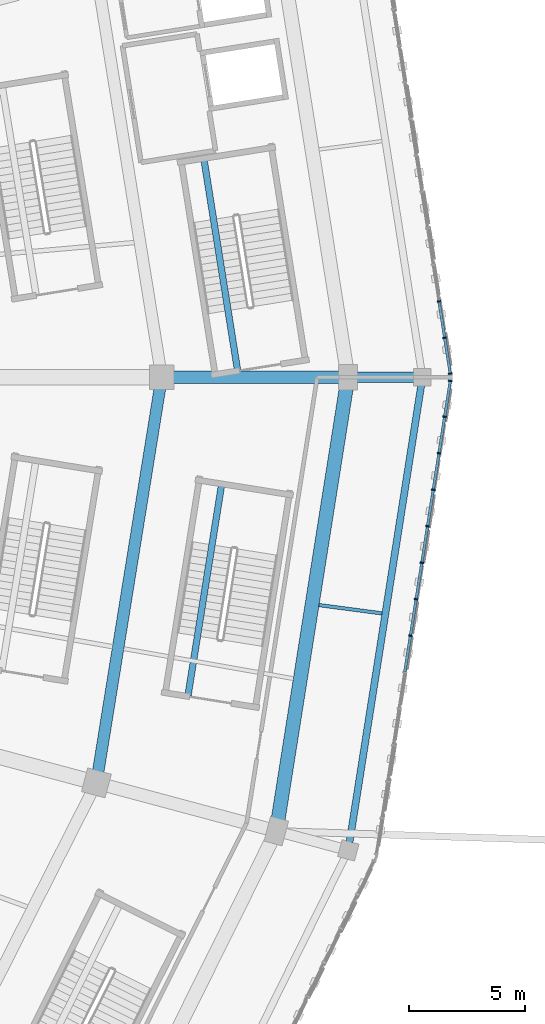
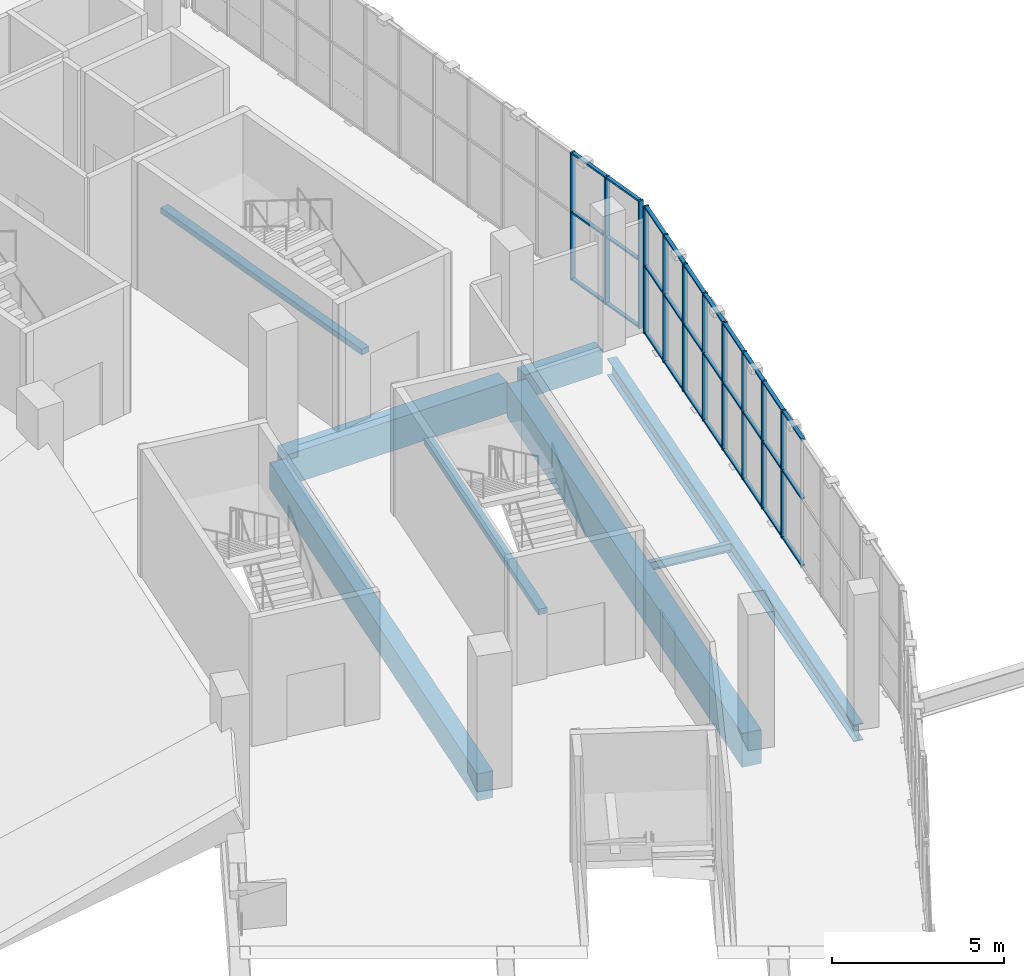
# One storey, part 40 of 183: 41 members, 8 beams, 2 elements without a shape of their own.
"""IFC4 building model written with IfcOpenShell, lengths in metres."""

from ifc_helpers import new_model, si_unit, direction, frame, origin, origin_2d, place, context, subcontext, project, spatial, rectangle, i_section, extrude, material, material_profile, profile_set, type_object, element, aggregate, save


model = new_model("IFC4")

# Units and contexts
model_context = context("Model", 3, precision=1e-05, world=origin(), true_north=direction((0.0, 1.0)))
body_context = subcontext(model_context, "Body", "Model", "MODEL_VIEW")
ifc_project = project(units=[si_unit("LENGTHUNIT", "METRE"), si_unit("AREAUNIT", "SQUARE_METRE"), si_unit("VOLUMEUNIT", "CUBIC_METRE"), si_unit("PLANEANGLEUNIT", "RADIAN"), si_unit("MASSUNIT", "GRAM", prefix="KILO")], contexts=[model_context])

# Site, building, storey
site_placement = place(None, origin())
site = spatial("IfcSite", under=ifc_project, at=site_placement, CompositionType="ELEMENT")
building_placement = place(site_placement, origin())
building = spatial("IfcBuilding", under=site, at=building_placement, Name="Zevraka Park Crest Stadium", CompositionType="ELEMENT")
storey_placement = place(building_placement, frame((0.0, 0.0, 5.39990234375)))
storey = spatial("IfcBuildingStorey", under=building, at=storey_placement, Name="L01", CompositionType="ELEMENT", Elevation=5.39990234375)

# Beams
ifc_material_1 = material(Name="Concrete C40/50", Category="concrete")
ifc_material_profile_1 = material_profile(ifc_material_1, rectangle(XDim=0.550048828125, YDim=1.10009765625, at=origin_2d()), Name="RC 1100x550")
ifc_profile_set_1 = profile_set([ifc_material_profile_1], Name="Concrete C40/50")
beam_type_1 = type_object("IfcBeamType", Name="BG02", PredefinedType="BEAM", material=ifc_profile_set_1)
beam_1_placement = place(storey_placement, frame((194.60009765625, 92.0, -0.559814453125), z_axis=(1.0, 0.0, 0.0), x_axis=(0.0, 1.0, 0.0)))
element("IfcBeam", 1, at=beam_1_placement, inside=storey, type_object=beam_type_1, Name="Radial Girder BG02 L01-CD-00", PredefinedType="BEAM", context=body_context, shape_type="SweptSolid", body=[
    extrude(rectangle(XDim=0.550048828125, YDim=1.10009765625, at=origin_2d()), origin(), (0.0, 0.0, 1.0), 7.39990234375),
])
ifc_material_2 = material(Name="Concrete C40/50", Category="concrete")
ifc_material_profile_2 = material_profile(ifc_material_2, rectangle(XDim=0.449951171875, YDim=0.85009765625, at=origin_2d()), Name="RC 850x450")
ifc_profile_set_2 = profile_set([ifc_material_profile_2], Name="Concrete C40/50")
beam_type_2 = type_object("IfcBeamType", Name="BG03", PredefinedType="BEAM", material=ifc_profile_set_2)
beam_2_placement = place(storey_placement, frame((202.60009765625, 92.0, -0.434814453125), z_axis=(1.0, 0.0, 0.0), x_axis=(0.0, 1.0, 0.0)))
element("IfcBeam", 2, at=beam_2_placement, inside=storey, type_object=beam_type_2, Name="Radial Girder BG03 L01-DE-00", PredefinedType="BEAM", context=body_context, shape_type="SweptSolid", body=[
    extrude(rectangle(XDim=0.449951171875, YDim=0.85009765625, at=origin_2d()), origin(), (0.0, 0.0, 1.0), 2.599853515625),
])

# Curtain wall, members
ifc_material_3 = material(Name="Anodised architectural aluminium and laminated safety glass", Category="aluminium")
curtain_wall_type = type_object("IfcCurtainWallType", Name="CW01", PredefinedType="NOTDEFINED", material=ifc_material_3)
curtain_wall_1_placement = place(storey_placement, origin())
curtain_wall_1 = element("IfcCurtainWall", 3, at=curtain_wall_1_placement, inside=storey, type_object=curtain_wall_type, Name="Unitised Ring Curtain Wall CW01 L01-00", PredefinedType="NOTDEFINED")
ifc_material_4 = material(Name="Anodised architectural aluminium", Category="aluminium")
ifc_material_profile_3 = material_profile(ifc_material_4, rectangle(XDim=0.159912109375, YDim=0.06005859375, at=origin_2d()), Name="ALU MULLION 160x60")
ifc_profile_set_3 = profile_set([ifc_material_profile_3], Name="Anodised architectural aluminium")
member_type_1 = type_object("IfcMemberType", Name="CM01", PredefinedType="MULLION", material=ifc_profile_set_3)
member_1_placement = place(storey_placement, frame((206.6943359375, 92.15576171875, 0.0), z_axis=(0.0, 0.0, 1.0), x_axis=(-0.987996544735, -0.154475977394, 0.0)))
member_1 = element("IfcMember", 4, at=member_1_placement, type_object=member_type_1, Name="CW01 mullion 1", PredefinedType="MULLION", context=body_context, shape_type="SweptSolid", body=[
    extrude(rectangle(XDim=0.159912109375, YDim=0.06005859375, at=origin_2d()), origin(), (0.0, 0.0, 1.0), 4.52001953125),
])
member_2_placement = place(storey_placement, frame((206.453857421875, 93.693359375, 0.0), z_axis=(0.0, 0.0, 1.0), x_axis=(-0.987996544735, -0.154475977394, 0.0)))
member_2 = element("IfcMember", 5, at=member_2_placement, type_object=member_type_1, Name="CW01 mullion 2", PredefinedType="MULLION", context=body_context, shape_type="SweptSolid", body=[
    extrude(rectangle(XDim=0.159912109375, YDim=0.06005859375, at=origin_2d()), origin(), (0.0, 0.0, 1.0), 4.52001953125),
])
member_3_placement = place(storey_placement, frame((206.208740234375, 95.260986328125, 0.0), z_axis=(0.0, 0.0, 1.0), x_axis=(-0.987996544735, -0.154475977394, 0.0)))
member_3 = element("IfcMember", 6, at=member_3_placement, type_object=member_type_1, Name="CW01 mullion 3", PredefinedType="MULLION", context=body_context, shape_type="SweptSolid", body=[
    extrude(rectangle(XDim=0.159912109375, YDim=0.06005859375, at=origin_2d()), origin(), (0.0, 0.0, 1.0), 4.52001953125),
])

curtain_wall_2_placement = place(storey_placement, origin())
curtain_wall_2 = element("IfcCurtainWall", 7, at=curtain_wall_2_placement, inside=storey, type_object=curtain_wall_type, Name="Unitised Ring Curtain Wall CW01 L01-23", PredefinedType="NOTDEFINED")
member_4_placement = place(storey_placement, frame((204.9833984375, 80.90185546875, 0.0), z_axis=(0.0, 0.0, 1.0), x_axis=(-0.987996544735, 0.154475977394, 0.0)))
member_4 = element("IfcMember", 8, at=member_4_placement, type_object=member_type_1, Name="CW01 mullion 7", PredefinedType="MULLION", context=body_context, shape_type="SweptSolid", body=[
    extrude(rectangle(XDim=0.159912109375, YDim=0.06005859375, at=origin_2d()), origin(), (0.0, 0.0, 1.0), 4.52001953125),
])
member_5_placement = place(storey_placement, frame((205.228515625, 82.46923828125, 0.0), z_axis=(0.0, 0.0, 1.0), x_axis=(-0.987996544735, 0.154475977394, 0.0)))
member_5 = element("IfcMember", 9, at=member_5_placement, type_object=member_type_1, Name="CW01 mullion 8", PredefinedType="MULLION", context=body_context, shape_type="SweptSolid", body=[
    extrude(rectangle(XDim=0.159912109375, YDim=0.06005859375, at=origin_2d()), origin(), (0.0, 0.0, 1.0), 4.52001953125),
])
member_6_placement = place(storey_placement, frame((205.4736328125, 84.03662109375, 0.0), z_axis=(0.0, 0.0, 1.0), x_axis=(-0.987996544735, 0.154475977394, 0.0)))
member_6 = element("IfcMember", 10, at=member_6_placement, type_object=member_type_1, Name="CW01 mullion 9", PredefinedType="MULLION", context=body_context, shape_type="SweptSolid", body=[
    extrude(rectangle(XDim=0.159912109375, YDim=0.06005859375, at=origin_2d()), origin(), (0.0, 0.0, 1.0), 4.52001953125),
])
member_7_placement = place(storey_placement, frame((205.71875, 85.604248046875, 0.0), z_axis=(0.0, 0.0, 1.0), x_axis=(-0.987996544735, 0.154475977394, 0.0)))
member_7 = element("IfcMember", 11, at=member_7_placement, type_object=member_type_1, Name="CW01 mullion 10", PredefinedType="MULLION", context=body_context, shape_type="SweptSolid", body=[
    extrude(rectangle(XDim=0.159912109375, YDim=0.06005859375, at=origin_2d()), origin(), (0.0, 0.0, 1.0), 4.52001953125),
])
member_8_placement = place(storey_placement, frame((205.9638671875, 87.171630859375, 0.0), z_axis=(0.0, 0.0, 1.0), x_axis=(-0.987996544735, 0.154475977394, 0.0)))
member_8 = element("IfcMember", 12, at=member_8_placement, type_object=member_type_1, Name="CW01 mullion 11", PredefinedType="MULLION", context=body_context, shape_type="SweptSolid", body=[
    extrude(rectangle(XDim=0.159912109375, YDim=0.06005859375, at=origin_2d()), origin(), (0.0, 0.0, 1.0), 4.52001953125),
])
member_9_placement = place(storey_placement, frame((206.208740234375, 88.739013671875, 0.0), z_axis=(0.0, 0.0, 1.0), x_axis=(-0.987996544735, 0.154475977394, 0.0)))
member_9 = element("IfcMember", 13, at=member_9_placement, type_object=member_type_1, Name="CW01 mullion 12", PredefinedType="MULLION", context=body_context, shape_type="SweptSolid", body=[
    extrude(rectangle(XDim=0.159912109375, YDim=0.06005859375, at=origin_2d()), origin(), (0.0, 0.0, 1.0), 4.52001953125),
])
member_10_placement = place(storey_placement, frame((206.453857421875, 90.306640625, 0.0), z_axis=(0.0, 0.0, 1.0), x_axis=(-0.987996544735, 0.154475977394, 0.0)))
member_10 = element("IfcMember", 14, at=member_10_placement, type_object=member_type_1, Name="CW01 mullion 13", PredefinedType="MULLION", context=body_context, shape_type="SweptSolid", body=[
    extrude(rectangle(XDim=0.159912109375, YDim=0.06005859375, at=origin_2d()), origin(), (0.0, 0.0, 1.0), 4.52001953125),
])
member_11_placement = place(storey_placement, frame((206.6943359375, 91.84423828125, 0.0), z_axis=(0.0, 0.0, 1.0), x_axis=(-0.987996544735, 0.154475977394, 0.0)))
member_11 = element("IfcMember", 15, at=member_11_placement, type_object=member_type_1, Name="CW01 mullion 14", PredefinedType="MULLION", context=body_context, shape_type="SweptSolid", body=[
    extrude(rectangle(XDim=0.159912109375, YDim=0.06005859375, at=origin_2d()), origin(), (0.0, 0.0, 1.0), 4.52001953125),
])

# Member
ifc_material_5 = material(Name="Anodised architectural aluminium", Category="aluminium")
ifc_material_profile_4 = material_profile(ifc_material_5, rectangle(XDim=0.1201171875, YDim=0.06005859375, at=origin_2d()), Name="ALU TRANSOM 120x60")
ifc_profile_set_4 = profile_set([ifc_material_profile_4], Name="Anodised architectural aluminium")
member_type_2 = type_object("IfcMemberType", Name="CT01", PredefinedType="USERDEFINED", material=ifc_profile_set_4)
member_12_placement = place(storey_placement, frame((206.689697265625, 92.185302734375, 0.030029296875), z_axis=(-0.154496320273, 0.987993363855, 0.0), x_axis=(-0.987993363855, -0.154496320273, 0.0)))
member_12 = element("IfcMember", 16, at=member_12_placement, type_object=member_type_2, Name="CW01 transom 1.1", ObjectType="TRANSOM", PredefinedType="USERDEFINED", context=body_context, shape_type="SweptSolid", body=[
    extrude(rectangle(XDim=0.1201171875, YDim=0.06005859375, at=origin_2d()), origin(), (0.0, 0.0, 1.0), 1.49658203125),
])

member_13_placement = place(storey_placement, frame((206.689697265625, 92.185302734375, 2.400146484375), z_axis=(-0.154496320273, 0.987993363855, 0.0), x_axis=(-0.987993363855, -0.154496320273, 0.0)))
member_13 = element("IfcMember", 17, at=member_13_placement, type_object=member_type_2, Name="CW01 transom 1.2", ObjectType="TRANSOM", PredefinedType="USERDEFINED", context=body_context, shape_type="SweptSolid", body=[
    extrude(rectangle(XDim=0.1201171875, YDim=0.06005859375, at=origin_2d()), origin(), (0.0, 0.0, 1.0), 1.49658203125),
])

member_14_placement = place(storey_placement, frame((206.689697265625, 92.185302734375, 4.489990234375), z_axis=(-0.154496320273, 0.987993363855, 0.0), x_axis=(-0.987993363855, -0.154496320273, 0.0)))
member_14 = element("IfcMember", 18, at=member_14_placement, type_object=member_type_2, Name="CW01 transom 1.3", ObjectType="TRANSOM", PredefinedType="USERDEFINED", context=body_context, shape_type="SweptSolid", body=[
    extrude(rectangle(XDim=0.1201171875, YDim=0.06005859375, at=origin_2d()), origin(), (0.0, 0.0, 1.0), 1.49658203125),
])

member_15_placement = place(storey_placement, frame((206.44921875, 93.72314453125, 0.030029296875), z_axis=(-0.154508617741, 0.987991440774, 0.0), x_axis=(-0.987991440774, -0.154508617741, 0.0)))
member_15 = element("IfcMember", 19, at=member_15_placement, type_object=member_type_2, Name="CW01 transom 2.1", ObjectType="TRANSOM", PredefinedType="USERDEFINED", context=body_context, shape_type="SweptSolid", body=[
    extrude(rectangle(XDim=0.1201171875, YDim=0.06005859375, at=origin_2d()), origin(), (0.0, 0.0, 1.0), 1.5263671875),
])

member_16_placement = place(storey_placement, frame((206.44921875, 93.72314453125, 2.400146484375), z_axis=(-0.154508617741, 0.987991440774, 0.0), x_axis=(-0.987991440774, -0.154508617741, 0.0)))
member_16 = element("IfcMember", 20, at=member_16_placement, type_object=member_type_2, Name="CW01 transom 2.2", ObjectType="TRANSOM", PredefinedType="USERDEFINED", context=body_context, shape_type="SweptSolid", body=[
    extrude(rectangle(XDim=0.1201171875, YDim=0.06005859375, at=origin_2d()), origin(), (0.0, 0.0, 1.0), 1.5263671875),
])

member_17_placement = place(storey_placement, frame((206.44921875, 93.72314453125, 4.489990234375), z_axis=(-0.154508617741, 0.987991440774, 0.0), x_axis=(-0.987991440774, -0.154508617741, 0.0)))
member_17 = element("IfcMember", 21, at=member_17_placement, type_object=member_type_2, Name="CW01 transom 2.3", ObjectType="TRANSOM", PredefinedType="USERDEFINED", context=body_context, shape_type="SweptSolid", body=[
    extrude(rectangle(XDim=0.1201171875, YDim=0.06005859375, at=origin_2d()), origin(), (0.0, 0.0, 1.0), 1.5263671875),
])

aggregate(curtain_wall_1, [member_1, member_2, member_3, member_12, member_13, member_14, member_15, member_16, member_17])

member_18_placement = place(storey_placement, frame((204.742919921875, 79.364013671875, 0.030029296875), z_axis=(0.154508617741, 0.987991440774, 0.0), x_axis=(-0.987991440774, 0.154508617741, 0.0)))
member_18 = element("IfcMember", 22, at=member_18_placement, type_object=member_type_2, Name="CW01 transom 6.1", ObjectType="TRANSOM", PredefinedType="USERDEFINED", context=body_context, shape_type="SweptSolid", body=[
    extrude(rectangle(XDim=0.1201171875, YDim=0.06005859375, at=origin_2d()), origin(), (0.0, 0.0, 1.0), 1.5263671875),
])

member_19_placement = place(storey_placement, frame((204.742919921875, 79.364013671875, 2.400146484375), z_axis=(0.154508617741, 0.987991440774, 0.0), x_axis=(-0.987991440774, 0.154508617741, 0.0)))
member_19 = element("IfcMember", 23, at=member_19_placement, type_object=member_type_2, Name="CW01 transom 6.2", ObjectType="TRANSOM", PredefinedType="USERDEFINED", context=body_context, shape_type="SweptSolid", body=[
    extrude(rectangle(XDim=0.1201171875, YDim=0.06005859375, at=origin_2d()), origin(), (0.0, 0.0, 1.0), 1.5263671875),
])

member_20_placement = place(storey_placement, frame((204.742919921875, 79.364013671875, 4.489990234375), z_axis=(0.154508617741, 0.987991440774, 0.0), x_axis=(-0.987991440774, 0.154508617741, 0.0)))
member_20 = element("IfcMember", 24, at=member_20_placement, type_object=member_type_2, Name="CW01 transom 6.3", ObjectType="TRANSOM", PredefinedType="USERDEFINED", context=body_context, shape_type="SweptSolid", body=[
    extrude(rectangle(XDim=0.1201171875, YDim=0.06005859375, at=origin_2d()), origin(), (0.0, 0.0, 1.0), 1.5263671875),
])

member_21_placement = place(storey_placement, frame((204.988037109375, 80.931396484375, 0.030029296875), z_axis=(0.154484205161, 0.987995258266, 0.0), x_axis=(-0.987995258266, 0.154484205161, 0.0)))
member_21 = element("IfcMember", 25, at=member_21_placement, type_object=member_type_2, Name="CW01 transom 7.1", ObjectType="TRANSOM", PredefinedType="USERDEFINED", context=body_context, shape_type="SweptSolid", body=[
    extrude(rectangle(XDim=0.1201171875, YDim=0.06005859375, at=origin_2d()), origin(), (0.0, 0.0, 1.0), 1.526611328125),
])

member_22_placement = place(storey_placement, frame((204.988037109375, 80.931396484375, 2.400146484375), z_axis=(0.154484205161, 0.987995258266, 0.0), x_axis=(-0.987995258266, 0.154484205161, 0.0)))
member_22 = element("IfcMember", 26, at=member_22_placement, type_object=member_type_2, Name="CW01 transom 7.2", ObjectType="TRANSOM", PredefinedType="USERDEFINED", context=body_context, shape_type="SweptSolid", body=[
    extrude(rectangle(XDim=0.1201171875, YDim=0.06005859375, at=origin_2d()), origin(), (0.0, 0.0, 1.0), 1.526611328125),
])

member_23_placement = place(storey_placement, frame((204.988037109375, 80.931396484375, 4.489990234375), z_axis=(0.154484205161, 0.987995258266, 0.0), x_axis=(-0.987995258266, 0.154484205161, 0.0)))
member_23 = element("IfcMember", 27, at=member_23_placement, type_object=member_type_2, Name="CW01 transom 7.3", ObjectType="TRANSOM", PredefinedType="USERDEFINED", context=body_context, shape_type="SweptSolid", body=[
    extrude(rectangle(XDim=0.1201171875, YDim=0.06005859375, at=origin_2d()), origin(), (0.0, 0.0, 1.0), 1.526611328125),
])

member_24_placement = place(storey_placement, frame((205.233154296875, 82.498779296875, 0.030029296875), z_axis=(0.154484205161, 0.987995258266, 0.0), x_axis=(-0.987995258266, 0.154484205161, 0.0)))
member_24 = element("IfcMember", 28, at=member_24_placement, type_object=member_type_2, Name="CW01 transom 8.1", ObjectType="TRANSOM", PredefinedType="USERDEFINED", context=body_context, shape_type="SweptSolid", body=[
    extrude(rectangle(XDim=0.1201171875, YDim=0.06005859375, at=origin_2d()), origin(), (0.0, 0.0, 1.0), 1.526611328125),
])

member_25_placement = place(storey_placement, frame((205.233154296875, 82.498779296875, 2.400146484375), z_axis=(0.154484205161, 0.987995258266, 0.0), x_axis=(-0.987995258266, 0.154484205161, 0.0)))
member_25 = element("IfcMember", 29, at=member_25_placement, type_object=member_type_2, Name="CW01 transom 8.2", ObjectType="TRANSOM", PredefinedType="USERDEFINED", context=body_context, shape_type="SweptSolid", body=[
    extrude(rectangle(XDim=0.1201171875, YDim=0.06005859375, at=origin_2d()), origin(), (0.0, 0.0, 1.0), 1.526611328125),
])

member_26_placement = place(storey_placement, frame((205.233154296875, 82.498779296875, 4.489990234375), z_axis=(0.154484205161, 0.987995258266, 0.0), x_axis=(-0.987995258266, 0.154484205161, 0.0)))
member_26 = element("IfcMember", 30, at=member_26_placement, type_object=member_type_2, Name="CW01 transom 8.3", ObjectType="TRANSOM", PredefinedType="USERDEFINED", context=body_context, shape_type="SweptSolid", body=[
    extrude(rectangle(XDim=0.1201171875, YDim=0.06005859375, at=origin_2d()), origin(), (0.0, 0.0, 1.0), 1.526611328125),
])

member_27_placement = place(storey_placement, frame((205.478271484375, 84.06640625, 0.030029296875), z_axis=(0.154508617741, 0.987991440774, 0.0), x_axis=(-0.987991440774, 0.154508617741, 0.0)))
member_27 = element("IfcMember", 31, at=member_27_placement, type_object=member_type_2, Name="CW01 transom 9.1", ObjectType="TRANSOM", PredefinedType="USERDEFINED", context=body_context, shape_type="SweptSolid", body=[
    extrude(rectangle(XDim=0.1201171875, YDim=0.06005859375, at=origin_2d()), origin(), (0.0, 0.0, 1.0), 1.5263671875),
])

member_28_placement = place(storey_placement, frame((205.478271484375, 84.06640625, 2.400146484375), z_axis=(0.154508617741, 0.987991440774, 0.0), x_axis=(-0.987991440774, 0.154508617741, 0.0)))
member_28 = element("IfcMember", 32, at=member_28_placement, type_object=member_type_2, Name="CW01 transom 9.2", ObjectType="TRANSOM", PredefinedType="USERDEFINED", context=body_context, shape_type="SweptSolid", body=[
    extrude(rectangle(XDim=0.1201171875, YDim=0.06005859375, at=origin_2d()), origin(), (0.0, 0.0, 1.0), 1.5263671875),
])

member_29_placement = place(storey_placement, frame((205.478271484375, 84.06640625, 4.489990234375), z_axis=(0.154508617741, 0.987991440774, 0.0), x_axis=(-0.987991440774, 0.154508617741, 0.0)))
member_29 = element("IfcMember", 33, at=member_29_placement, type_object=member_type_2, Name="CW01 transom 9.3", ObjectType="TRANSOM", PredefinedType="USERDEFINED", context=body_context, shape_type="SweptSolid", body=[
    extrude(rectangle(XDim=0.1201171875, YDim=0.06005859375, at=origin_2d()), origin(), (0.0, 0.0, 1.0), 1.5263671875),
])

member_30_placement = place(storey_placement, frame((205.723388671875, 85.6337890625, 0.030029296875), z_axis=(0.154484205161, 0.987995258266, 0.0), x_axis=(-0.987995258266, 0.154484205161, 0.0)))
member_30 = element("IfcMember", 34, at=member_30_placement, type_object=member_type_2, Name="CW01 transom 10.1", ObjectType="TRANSOM", PredefinedType="USERDEFINED", context=body_context, shape_type="SweptSolid", body=[
    extrude(rectangle(XDim=0.1201171875, YDim=0.06005859375, at=origin_2d()), origin(), (0.0, 0.0, 1.0), 1.526611328125),
])

member_31_placement = place(storey_placement, frame((205.723388671875, 85.6337890625, 2.400146484375), z_axis=(0.154484205161, 0.987995258266, 0.0), x_axis=(-0.987995258266, 0.154484205161, 0.0)))
member_31 = element("IfcMember", 35, at=member_31_placement, type_object=member_type_2, Name="CW01 transom 10.2", ObjectType="TRANSOM", PredefinedType="USERDEFINED", context=body_context, shape_type="SweptSolid", body=[
    extrude(rectangle(XDim=0.1201171875, YDim=0.06005859375, at=origin_2d()), origin(), (0.0, 0.0, 1.0), 1.526611328125),
])

member_32_placement = place(storey_placement, frame((205.723388671875, 85.6337890625, 4.489990234375), z_axis=(0.154484205161, 0.987995258266, 0.0), x_axis=(-0.987995258266, 0.154484205161, 0.0)))
member_32 = element("IfcMember", 36, at=member_32_placement, type_object=member_type_2, Name="CW01 transom 10.3", ObjectType="TRANSOM", PredefinedType="USERDEFINED", context=body_context, shape_type="SweptSolid", body=[
    extrude(rectangle(XDim=0.1201171875, YDim=0.06005859375, at=origin_2d()), origin(), (0.0, 0.0, 1.0), 1.526611328125),
])

member_33_placement = place(storey_placement, frame((205.968505859375, 87.201171875, 0.030029296875), z_axis=(0.154328094427, 0.988019655306, 0.0), x_axis=(-0.988019655306, 0.154328094427, 0.0)))
member_33 = element("IfcMember", 37, at=member_33_placement, type_object=member_type_2, Name="CW01 transom 11.1", ObjectType="TRANSOM", PredefinedType="USERDEFINED", context=body_context, shape_type="SweptSolid", body=[
    extrude(rectangle(XDim=0.1201171875, YDim=0.06005859375, at=origin_2d()), origin(), (0.0, 0.0, 1.0), 1.526611328125),
])

member_34_placement = place(storey_placement, frame((205.968505859375, 87.201171875, 2.400146484375), z_axis=(0.154328094427, 0.988019655306, 0.0), x_axis=(-0.988019655306, 0.154328094427, 0.0)))
member_34 = element("IfcMember", 38, at=member_34_placement, type_object=member_type_2, Name="CW01 transom 11.2", ObjectType="TRANSOM", PredefinedType="USERDEFINED", context=body_context, shape_type="SweptSolid", body=[
    extrude(rectangle(XDim=0.1201171875, YDim=0.06005859375, at=origin_2d()), origin(), (0.0, 0.0, 1.0), 1.526611328125),
])

member_35_placement = place(storey_placement, frame((205.968505859375, 87.201171875, 4.489990234375), z_axis=(0.154328094427, 0.988019655306, 0.0), x_axis=(-0.988019655306, 0.154328094427, 0.0)))
member_35 = element("IfcMember", 39, at=member_35_placement, type_object=member_type_2, Name="CW01 transom 11.3", ObjectType="TRANSOM", PredefinedType="USERDEFINED", context=body_context, shape_type="SweptSolid", body=[
    extrude(rectangle(XDim=0.1201171875, YDim=0.06005859375, at=origin_2d()), origin(), (0.0, 0.0, 1.0), 1.526611328125),
])

member_36_placement = place(storey_placement, frame((206.21337890625, 88.768798828125, 0.030029296875), z_axis=(0.154508617741, 0.987991440774, 0.0), x_axis=(-0.987991440774, 0.154508617741, 0.0)))
member_36 = element("IfcMember", 40, at=member_36_placement, type_object=member_type_2, Name="CW01 transom 12.1", ObjectType="TRANSOM", PredefinedType="USERDEFINED", context=body_context, shape_type="SweptSolid", body=[
    extrude(rectangle(XDim=0.1201171875, YDim=0.06005859375, at=origin_2d()), origin(), (0.0, 0.0, 1.0), 1.5263671875),
])

member_37_placement = place(storey_placement, frame((206.21337890625, 88.768798828125, 2.400146484375), z_axis=(0.154508617741, 0.987991440774, 0.0), x_axis=(-0.987991440774, 0.154508617741, 0.0)))
member_37 = element("IfcMember", 41, at=member_37_placement, type_object=member_type_2, Name="CW01 transom 12.2", ObjectType="TRANSOM", PredefinedType="USERDEFINED", context=body_context, shape_type="SweptSolid", body=[
    extrude(rectangle(XDim=0.1201171875, YDim=0.06005859375, at=origin_2d()), origin(), (0.0, 0.0, 1.0), 1.5263671875),
])

member_38_placement = place(storey_placement, frame((206.21337890625, 88.768798828125, 4.489990234375), z_axis=(0.154508617741, 0.987991440774, 0.0), x_axis=(-0.987991440774, 0.154508617741, 0.0)))
member_38 = element("IfcMember", 42, at=member_38_placement, type_object=member_type_2, Name="CW01 transom 12.3", ObjectType="TRANSOM", PredefinedType="USERDEFINED", context=body_context, shape_type="SweptSolid", body=[
    extrude(rectangle(XDim=0.1201171875, YDim=0.06005859375, at=origin_2d()), origin(), (0.0, 0.0, 1.0), 1.5263671875),
])

member_39_placement = place(storey_placement, frame((206.45849609375, 90.336181640625, 0.030029296875), z_axis=(0.154496320273, 0.987993363855, 0.0), x_axis=(-0.987993363855, 0.154496320273, 0.0)))
member_39 = element("IfcMember", 43, at=member_39_placement, type_object=member_type_2, Name="CW01 transom 13.1", ObjectType="TRANSOM", PredefinedType="USERDEFINED", context=body_context, shape_type="SweptSolid", body=[
    extrude(rectangle(XDim=0.1201171875, YDim=0.06005859375, at=origin_2d()), origin(), (0.0, 0.0, 1.0), 1.49658203125),
])

member_40_placement = place(storey_placement, frame((206.45849609375, 90.336181640625, 2.400146484375), z_axis=(0.154496320273, 0.987993363855, 0.0), x_axis=(-0.987993363855, 0.154496320273, 0.0)))
member_40 = element("IfcMember", 44, at=member_40_placement, type_object=member_type_2, Name="CW01 transom 13.2", ObjectType="TRANSOM", PredefinedType="USERDEFINED", context=body_context, shape_type="SweptSolid", body=[
    extrude(rectangle(XDim=0.1201171875, YDim=0.06005859375, at=origin_2d()), origin(), (0.0, 0.0, 1.0), 1.49658203125),
])

member_41_placement = place(storey_placement, frame((206.45849609375, 90.336181640625, 4.489990234375), z_axis=(0.154496320273, 0.987993363855, 0.0), x_axis=(-0.987993363855, 0.154496320273, 0.0)))
member_41 = element("IfcMember", 45, at=member_41_placement, type_object=member_type_2, Name="CW01 transom 13.3", ObjectType="TRANSOM", PredefinedType="USERDEFINED", context=body_context, shape_type="SweptSolid", body=[
    extrude(rectangle(XDim=0.1201171875, YDim=0.06005859375, at=origin_2d()), origin(), (0.0, 0.0, 1.0), 1.49658203125),
])

aggregate(curtain_wall_2, [member_4, member_5, member_6, member_7, member_8, member_9, member_10, member_11, member_18, member_19, member_20, member_21, member_22, member_23, member_24, member_25, member_26, member_27, member_28, member_29, member_30, member_31, member_32, member_33, member_34, member_35, member_36, member_37, member_38, member_39, member_40, member_41])

# Beams
ifc_material_6 = material(Name="Concrete C40/50", Category="concrete")
ifc_material_profile_5 = material_profile(ifc_material_6, rectangle(XDim=0.60009765625, YDim=1.199951171875, at=origin_2d()), Name="RC 1200x600")
ifc_profile_set_5 = profile_set([ifc_material_profile_5], Name="Concrete C40/50")
beam_type_3 = type_object("IfcBeamType", Name="RB01", PredefinedType="BEAM", material=ifc_profile_set_5)
beam_3_placement = place(storey_placement, frame((199.281982421875, 72.885986328125, -0.60986328125), z_axis=(0.155972486086, 0.987761400129, 0.0), x_axis=(-0.987761400129, 0.155972486086, 0.0)))
element("IfcBeam", 46, at=beam_3_placement, inside=storey, type_object=beam_type_3, Name="Ring Beam RB01 L01-D-23", PredefinedType="BEAM", context=body_context, shape_type="SweptSolid", body=[
    extrude(rectangle(XDim=0.60009765625, YDim=1.199951171875, at=origin_2d()), origin(), (0.0, 0.0, 1.0), 18.97119140625),
])
ifc_material_7 = material(Name="Concrete C40/50", Category="concrete")
ifc_material_profile_6 = material_profile(ifc_material_7, rectangle(XDim=0.5, YDim=0.949951171875, at=origin_2d()), Name="RC 950x500")
ifc_profile_set_6 = profile_set([ifc_material_profile_6], Name="Concrete C40/50")
beam_type_4 = type_object("IfcBeamType", Name="RB02", PredefinedType="BEAM", material=ifc_profile_set_6)
beam_4_placement = place(storey_placement, frame((191.555908203125, 74.9560546875, -0.48486328125), z_axis=(0.158975112778, 0.987282590507, 0.0), x_axis=(-0.987282590507, 0.158975112778, 0.0)))
element("IfcBeam", 47, at=beam_4_placement, inside=storey, type_object=beam_type_4, Name="Ring Beam RB02 L01-C-23", PredefinedType="BEAM", context=body_context, shape_type="SweptSolid", body=[
    extrude(rectangle(XDim=0.5, YDim=0.949951171875, at=origin_2d()), origin(), (0.0, 0.0, 1.0), 16.883544921875),
])
ifc_material_8 = material(Name="Steel S355", Category="steel")
ifc_material_profile_7 = material_profile(ifc_material_8, i_section(OverallWidth=0.300048828125, OverallDepth=0.60009765625, WebThickness=0.015380859375, FlangeThickness=0.030029296875, at=origin_2d()), Name="HEB 600")
ifc_profile_set_7 = profile_set([ifc_material_profile_7], Name="Steel S355")
beam_type_5 = type_object("IfcBeamType", Name="RB03", PredefinedType="BEAM", material=ifc_profile_set_7)
beam_5_placement = place(storey_placement, frame((202.367919921875, 72.029052734375, -0.60498046875), z_axis=(0.154952716421, 0.987921887435, 0.0), x_axis=(-0.987921887435, 0.154952716421, 0.0)))
element("IfcBeam", 48, at=beam_5_placement, inside=storey, type_object=beam_type_5, Name="Ring Beam RB03 L01-E-23", PredefinedType="BEAM", context=body_context, shape_type="SweptSolid", body=[
    extrude(i_section(OverallWidth=0.300048828125, OverallDepth=0.60009765625, WebThickness=0.015380859375, FlangeThickness=0.030029296875, at=origin_2d()), origin(), (0.0, 0.0, 1.0), 19.864990234375),
])
ifc_material_9 = material(Name="Steel S355", Category="steel")
ifc_material_profile_8 = material_profile(ifc_material_9, i_section(OverallWidth=0.14990234375, OverallDepth=0.300048828125, WebThickness=0.007080078125, FlangeThickness=0.0107421875, at=origin_2d()), Name="IPE 300")
ifc_profile_set_8 = profile_set([ifc_material_profile_8], Name="Steel S355")
beam_type_6 = type_object("IfcBeamType", Name="SJ01", PredefinedType="JOIST", material=ifc_profile_set_8)
beam_6_placement = place(storey_placement, frame((201.053955078125, 82.217041015625, -0.4580078125), z_axis=(0.991431166896, -0.130630169971, 0.0), x_axis=(0.130630169971, 0.991431166896, 0.0)))
element("IfcBeam", 49, at=beam_6_placement, inside=storey, type_object=beam_type_6, Name="Floor Joist SJ01 L01-DE-23-1", PredefinedType="JOIST", context=body_context, shape_type="SweptSolid", body=[
    extrude(i_section(OverallWidth=0.14990234375, OverallDepth=0.300048828125, WebThickness=0.007080078125, FlangeThickness=0.0107421875, at=origin_2d()), origin(), (0.0, 0.0, 1.0), 2.732421875),
])
ifc_material_10 = material(Name="Concrete C40/50", Category="concrete")
ifc_material_profile_9 = material_profile(ifc_material_10, rectangle(XDim=0.280029296875, YDim=0.199951171875, at=origin_2d()), Name="RC 200x280")
ifc_profile_set_9 = profile_set([ifc_material_profile_9], Name="Concrete C40/50")
beam_type_7 = type_object("IfcBeamType", Name="SJ13", PredefinedType="JOIST", material=ifc_profile_set_9)
beam_7_placement = place(storey_placement, frame((197.559326171875, 92.29736328125, 2.300048828125), z_axis=(-0.157251361722, 0.987558610532, 0.0), x_axis=(-0.987558610532, -0.157251361722, 0.0)))
element("IfcBeam", 50, at=beam_7_placement, inside=storey, type_object=beam_type_7, Name="Stair Upper-Flight Longitudinal Stringer SJ13 ST01-L01", PredefinedType="JOIST", context=body_context, shape_type="SweptSolid", body=[
    extrude(rectangle(XDim=0.280029296875, YDim=0.199951171875, at=origin_2d()), origin(), (0.0, 0.0, 1.0), 9.25),
])
beam_8_placement = place(storey_placement, frame((195.428955078125, 78.321044921875, 2.300048828125), z_axis=(0.157255460575, 0.987557957853, 0.0), x_axis=(-0.987557957853, 0.157255460575, 0.0)))
element("IfcBeam", 51, at=beam_8_placement, inside=storey, type_object=beam_type_7, Name="Stair Upper-Flight Longitudinal Stringer SJ13 ST24-L01", PredefinedType="JOIST", context=body_context, shape_type="SweptSolid", body=[
    extrude(rectangle(XDim=0.280029296875, YDim=0.199951171875, at=origin_2d()), origin(), (0.0, 0.0, 1.0), 9.249755859375),
])

save(model, "model.ifc")
